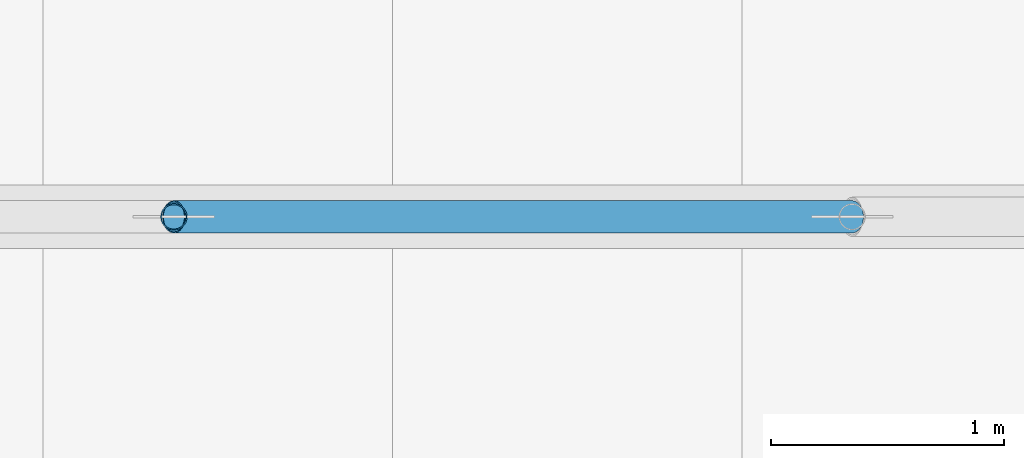
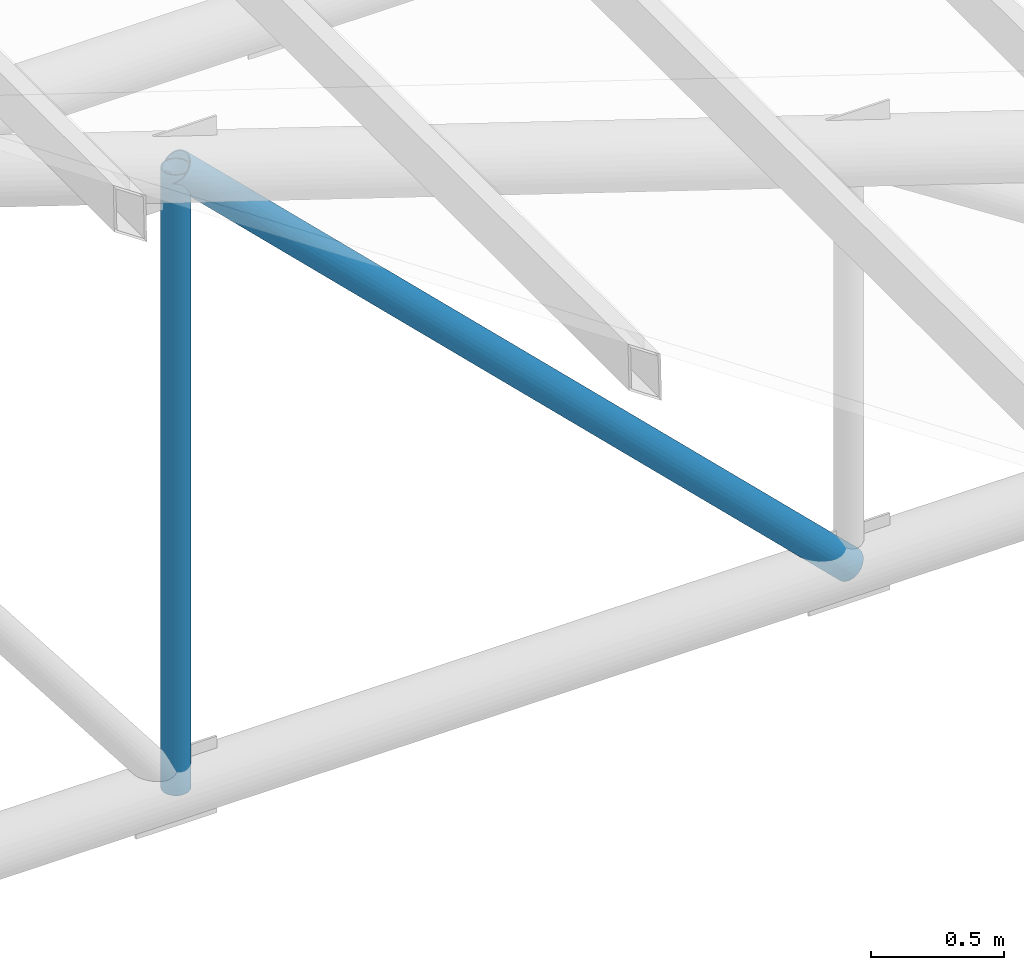
# One storey, part 33 of 95: 2 members.
"""IFC4 building model written with IfcOpenShell, lengths in metres."""

from ifc_helpers import new_model, si_unit, direction, frame, origin, origin_2d, place, context, subcontext, project, spatial, hollow_circle, extrude, material, material_profile, profile_set, type_object, element, save


model = new_model("IFC4")

# Units and contexts
model_context = context("Model", 3, precision=1e-05, world=origin(), true_north=direction((0.0, 1.0)))
body_context = subcontext(model_context, "Body", "Model", "MODEL_VIEW")
ifc_project = project(units=[si_unit("LENGTHUNIT", "METRE"), si_unit("AREAUNIT", "SQUARE_METRE"), si_unit("VOLUMEUNIT", "CUBIC_METRE"), si_unit("PLANEANGLEUNIT", "RADIAN"), si_unit("MASSUNIT", "GRAM", prefix="KILO")], contexts=[model_context])

# Site, building, storey
site_placement = place(None, origin())
site = spatial("IfcSite", under=ifc_project, at=site_placement, CompositionType="ELEMENT")
building_placement = place(site_placement, origin())
building = spatial("IfcBuilding", under=site, at=building_placement, Name="Kiln Court Media Centre", CompositionType="ELEMENT")
storey_placement = place(building_placement, frame((0.0, 0.0, 24.60009765625)))
storey = spatial("IfcBuildingStorey", under=building, at=storey_placement, Name="L05", CompositionType="ELEMENT", Elevation=24.60009765625)

# Members
ifc_material_1 = material(Name="Steel ASTM A500 Gr C", Category="steel")
ifc_material_profile_1 = material_profile(ifc_material_1, hollow_circle(Radius=0.05712890625, WallThickness=0.0048828125, at=origin_2d()), Name="CHS 114.3x5.0")
ifc_profile_set_1 = profile_set([ifc_material_profile_1], Name="Steel ASTM A500 Gr C")
member_type_1 = type_object("IfcMemberType", Name="Steel ASTM A500 Gr C CHS 114.3x5.0 truss web", PredefinedType="BRACE", material=ifc_profile_set_1)
member_1_placement = place(storey_placement, frame((49.3125, 46.199951171875, -0.013916015625), z_axis=(0.0, 0.0, 1.0), x_axis=(1.0, 0.0, 0.0)))
element("IfcMember", 1, at=member_1_placement, inside=storey, type_object=member_type_1, Name="foyer truss FT-06 post 5 truss web", PredefinedType="BRACE", context=body_context, shape_type="SweptSolid", body=[
    extrude(hollow_circle(Radius=0.05712890625, WallThickness=0.0048828125, at=origin_2d()), origin(), (0.0, 0.0, 1.0), 2.839111328125),
])
ifc_material_2 = material(Name="Steel ASTM A500 Gr C", Category="steel")
ifc_material_profile_2 = material_profile(ifc_material_2, hollow_circle(Radius=0.06982421875, WallThickness=0.0048828125, at=origin_2d()), Name="CHS 139.7x5.0")
ifc_profile_set_2 = profile_set([ifc_material_profile_2], Name="Steel ASTM A500 Gr C")
member_type_2 = type_object("IfcMemberType", Name="Steel ASTM A500 Gr C CHS 139.7x5.0 truss web", PredefinedType="BRACE", material=ifc_profile_set_2)
member_2_placement = place(storey_placement, frame((49.3125, 46.199951171875, 2.8251953125), z_axis=(0.716082640751, 0.0, -0.69801550958), x_axis=(0.0, 1.0, 0.0)))
element("IfcMember", 2, at=member_2_placement, inside=storey, type_object=member_type_2, Name="foyer truss FT-06 diagonal 6 truss web", PredefinedType="BRACE", context=body_context, shape_type="SweptSolid", body=[
    extrude(hollow_circle(Radius=0.06982421875, WallThickness=0.0048828125, at=origin_2d()), origin(), (0.0, 0.0, 1.0), 4.0673828125),
])

save(model, "model.ifc")
